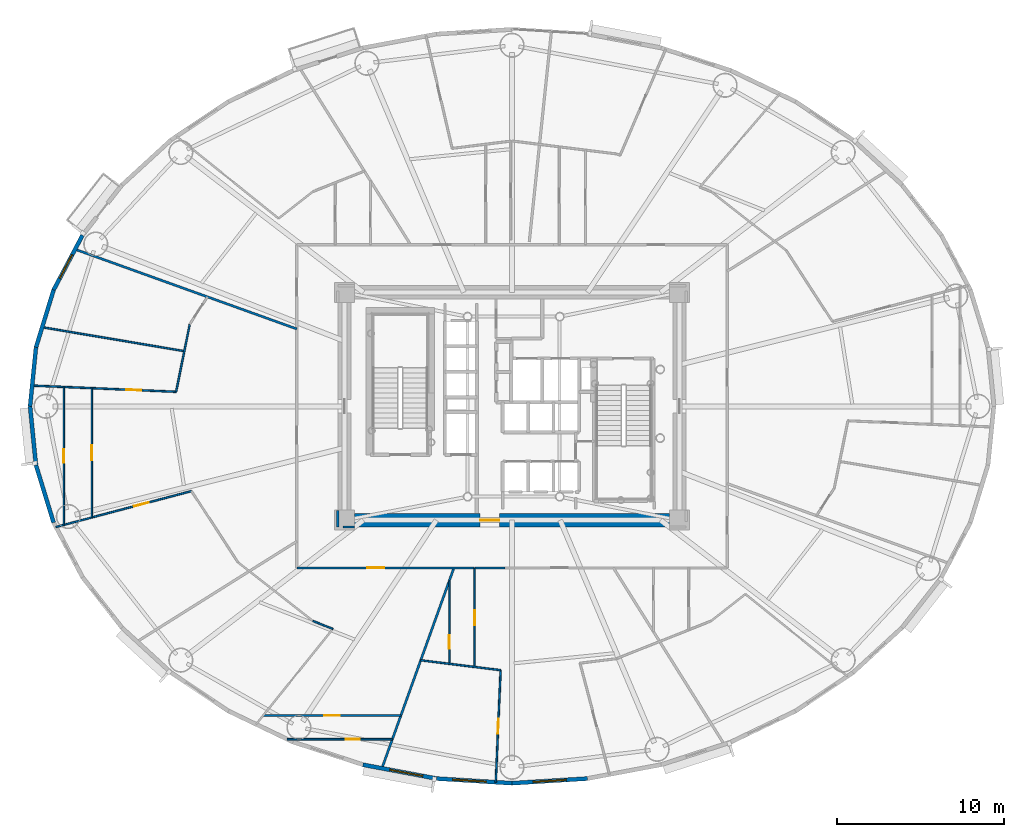
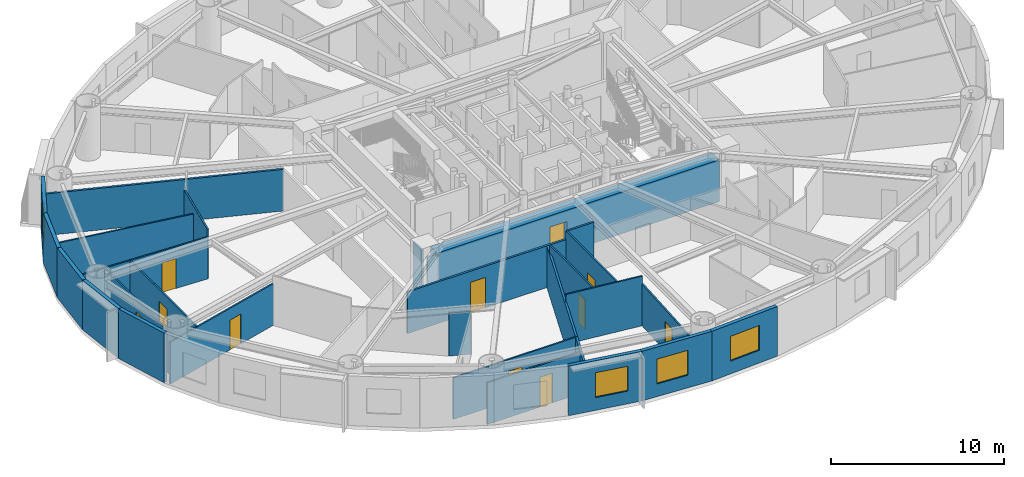
# One storey, part 8 of 19: 28 walls, 11 doors, 4 windows, 15 openings.
"""IFC4 building model written with IfcOpenShell, lengths in metres."""

from ifc_helpers import new_model, si_unit, direction, frame, frame_2d, origin, origin_2d, place, context, subcontext, project, spatial, rectangle, extrude, source, transform, mapped, material, layer, layer_set, type_object, element, fill, save


model = new_model("IFC4")

# Units and contexts
model_context = context("Model", 3, precision=1e-05, world=origin(), true_north=direction((0.0, 1.0)))
body_context = subcontext(model_context, "Body", "Model", "MODEL_VIEW")
ifc_project = project(units=[si_unit("LENGTHUNIT", "METRE"), si_unit("AREAUNIT", "SQUARE_METRE"), si_unit("VOLUMEUNIT", "CUBIC_METRE"), si_unit("PLANEANGLEUNIT", "RADIAN"), si_unit("MASSUNIT", "GRAM", prefix="KILO")], contexts=[model_context])

# Site, building, storey
site_placement = place(None, origin())
site = spatial("IfcSite", under=ifc_project, at=site_placement, CompositionType="ELEMENT")
building_placement = place(site_placement, origin())
building = spatial("IfcBuilding", under=site, at=building_placement, Name="Linh Dai School and Residence Tower", CompositionType="ELEMENT")
storey_placement = place(building_placement, frame((0.0, 0.0, 119.699951171875)))
storey = spatial("IfcBuildingStorey", under=building, at=storey_placement, Name="L28", CompositionType="ELEMENT", Elevation=119.699951171875)

# Wall, opening, window
ifc_material_1 = material(Name="Precast Concrete B45 (C35/45)", Category="concrete")
ifc_layer_1 = layer(ifc_material_1, 0.239990234375)
ifc_layer_set_1 = layer_set([ifc_layer_1], Name="Precast Concrete B45 (C35/45)")
wall_type_1 = type_object("IfcWallType", Name="EW-TC-240", PredefinedType="SOLIDWALL", material=ifc_layer_set_1)
wall_1_placement = place(storey_placement, frame((8.6298828125, 33.945068359375, 0.0), z_axis=(0.0, 0.0, 1.0), x_axis=(0.467614004126, 0.883932770716, 0.0)))
wall_1 = element("IfcWall", 1, at=wall_1_placement, inside=storey, type_object=wall_type_1, Name="L28 Terracotta Exterior Wall 18", PredefinedType="SOLIDWALL", context=body_context, shape_type="SweptSolid", body=[
    extrude(rectangle(XDim=3.688720703125, YDim=0.239990234375, at=frame_2d((1.84423828125, 0.0))), origin(), (0.0, 0.0, 1.0), 3.5),
])
opening_1_placement = place(wall_1_placement, frame((0.778076171875, 0.0, 0.89990234375)))
opening_1 = element("IfcOpeningElement", 2, at=opening_1_placement, cuts=wall_1, Name="Opening W2", PredefinedType="OPENING", context=body_context, shape_type="SweptSolid", body=[
    extrude(rectangle(XDim=1.60009765625, YDim=1.75, at=origin_2d()), frame((0.800048828125, 0.1298828125, 0.875), z_axis=(0.0, -1.0, 0.0), x_axis=(1.0, 0.0, 0.0)), (0.0, 0.0, 1.0), 0.260009765625),
])
ifc_material_2 = material(Name="Double Low-E Insulated Glazing", Category="glass")
window_type_1 = type_object("IfcWindowType", Name="WN-RES-1600x1750", PartitioningType="DOUBLE_PANEL_VERTICAL", PredefinedType="WINDOW", material=ifc_material_2)
shared_shape_1 = source(origin(), body_context, "Body", "SweptSolid", [
    extrude(rectangle(XDim=1.60009765625, YDim=1.75, at=origin_2d()), frame((0.800048828125, 0.030029296875, 0.875), z_axis=(0.0, -1.0, 0.0), x_axis=(1.0, 0.0, 0.0)), (0.0, 0.0, 1.0), 0.06005859375),
])
window_1_placement = place(opening_1_placement, origin())
window_1 = element("IfcWindow", 3, at=window_1_placement, inside=storey, type_object=window_type_1, Name="L28 Exterior Window 18.1", OverallHeight=1.75, OverallWidth=1.60009765625, PartitioningType="DOUBLE_PANEL_VERTICAL", PredefinedType="WINDOW", context=body_context, shape_type="MappedRepresentation", body=[
    mapped(shared_shape_1, transform((0.0, 0.0, 0.0), x_axis=(1.0, 0.0, 0.0), y_axis=(0.0, 1.0, 0.0), z_axis=(0.0, 0.0, 1.0), scale=1.0)),
])
fill(opening_1, window_1)

# Walls
wall_2_placement = place(storey_placement, frame((7.578369140625, 30.515380859375, 0.0), z_axis=(0.0, 0.0, 1.0), x_axis=(0.293124431344, 0.956074300329, 0.0)))
element("IfcWall", 4, at=wall_2_placement, inside=storey, type_object=wall_type_1, Name="L28 Terracotta Exterior Wall 19", PredefinedType="SOLIDWALL", context=body_context, shape_type="SweptSolid", body=[
    extrude(rectangle(XDim=3.587158203125, YDim=0.239990234375, at=frame_2d((1.79345703125, 0.0))), origin(), (0.0, 0.0, 1.0), 3.5),
])
for number, where, z_axis, x_axis, name in (
    (5, (7.22509765625, 27.0, 0.0), (0.0, 0.0, 1.0), (0.099989468229, 0.994988495533, 0.0), "L28 Terracotta Exterior Wall 20"),
    (6, (7.578369140625, 23.484619140625, 0.0), (0.0, 0.0, 1.0), (-0.099989468229, 0.994988495533, 0.0), "L28 Terracotta Exterior Wall 21"),
):
    element("IfcWall", number, at=place(storey_placement, frame(where, z_axis=z_axis, x_axis=x_axis)), inside=storey, type_object=wall_type_1, Name=name, PredefinedType="SOLIDWALL", context=body_context, shape_type="SweptSolid", body=[
        extrude(rectangle(XDim=3.533203125, YDim=0.239990234375, at=frame_2d((1.7666015625, 0.0))), origin(), (0.0, 0.0, 1.0), 3.5),
    ])
wall_3_placement = place(storey_placement, frame((8.6298828125, 20.054931640625, 0.0), z_axis=(0.0, 0.0, 1.0), x_axis=(-0.293124431344, 0.956074300329, 0.0)))
element("IfcWall", 7, at=wall_3_placement, inside=storey, type_object=wall_type_1, Name="L28 Terracotta Exterior Wall 22", PredefinedType="SOLIDWALL", context=body_context, shape_type="SweptSolid", body=[
    extrude(rectangle(XDim=3.587158203125, YDim=0.239990234375, at=frame_2d((1.79345703125, 0.0))), origin(), (0.0, 0.0, 1.0), 3.5),
])

# Wall, opening, window
wall_4_placement = place(storey_placement, frame((31.494384765625, 4.772705078125, 0.0), z_axis=(0.0, 0.0, 1.0), x_axis=(-0.982789252177, 0.184730305596, 0.0)))
wall_4 = element("IfcWall", 8, at=wall_4_placement, inside=storey, type_object=wall_type_1, Name="L28 Terracotta Exterior Wall 29", PredefinedType="SOLIDWALL", context=body_context, shape_type="SweptSolid", body=[
    extrude(rectangle(XDim=4.470947265625, YDim=0.239990234375, at=frame_2d((2.2353515625, 0.0))), origin(), (0.0, 0.0, 1.0), 3.5),
])
opening_2_placement = place(wall_4_placement, frame((0.843017578125, 0.0, 0.89990234375)))
opening_2 = element("IfcOpeningElement", 9, at=opening_2_placement, cuts=wall_4, Name="Opening W1", PredefinedType="OPENING", context=body_context, shape_type="SweptSolid", body=[
    extrude(rectangle(XDim=2.0, YDim=1.75, at=origin_2d()), frame((1.0, 0.1298828125, 0.875), z_axis=(0.0, -1.0, 0.0), x_axis=(1.0, 0.0, 0.0)), (0.0, 0.0, 1.0), 0.260009765625),
])
window_type_2 = type_object("IfcWindowType", Name="WN-RES-2000x1750", PartitioningType="DOUBLE_PANEL_VERTICAL", PredefinedType="WINDOW", material=ifc_material_2)
shared_shape_2 = source(origin(), body_context, "Body", "SweptSolid", [
    extrude(rectangle(XDim=2.0, YDim=1.75, at=origin_2d()), frame((1.0, 0.030029296875, 0.875), z_axis=(0.0, -1.0, 0.0), x_axis=(1.0, 0.0, 0.0)), (0.0, 0.0, 1.0), 0.06005859375),
])
window_2_placement = place(opening_2_placement, origin())
window_2 = element("IfcWindow", 10, at=window_2_placement, inside=storey, type_object=window_type_2, Name="L28 Exterior Window 29.1", OverallHeight=1.75, OverallWidth=2.0, PartitioningType="DOUBLE_PANEL_VERTICAL", PredefinedType="WINDOW", context=body_context, shape_type="MappedRepresentation", body=[
    mapped(shared_shape_2, transform((0.0, 0.0, 0.0), x_axis=(1.0, 0.0, 0.0), y_axis=(0.0, 1.0, 0.0), z_axis=(0.0, 0.0, 1.0), scale=1.0)),
])
fill(opening_2, window_2)

wall_5_placement = place(storey_placement, frame((36.0, 4.4951171875, 0.0), z_axis=(0.0, 0.0, 1.0), x_axis=(-0.998107531589, 0.061492726276, 0.0)))
wall_5 = element("IfcWall", 11, at=wall_5_placement, inside=storey, type_object=wall_type_1, Name="L28 Terracotta Exterior Wall 30", PredefinedType="SOLIDWALL", context=body_context, shape_type="SweptSolid", body=[
    extrude(rectangle(XDim=4.51416015625, YDim=0.239990234375, at=frame_2d((2.257080078125, 0.0))), origin(), (0.0, 0.0, 1.0), 3.5),
])
opening_3_placement = place(wall_5_placement, frame((1.549560546875, 0.0, 0.89990234375)))
opening_3 = element("IfcOpeningElement", 12, at=opening_3_placement, cuts=wall_5, Name="Opening W1", PredefinedType="OPENING", context=body_context, shape_type="SweptSolid", body=[
    extrude(rectangle(XDim=2.0, YDim=1.75, at=origin_2d()), frame((1.0, 0.1298828125, 0.875), z_axis=(0.0, -1.0, 0.0), x_axis=(1.0, 0.0, 0.0)), (0.0, 0.0, 1.0), 0.260009765625),
])
window_3_placement = place(opening_3_placement, origin())
window_3 = element("IfcWindow", 13, at=window_3_placement, inside=storey, type_object=window_type_2, Name="L28 Exterior Window 30.1", OverallHeight=1.75, OverallWidth=2.0, PartitioningType="DOUBLE_PANEL_VERTICAL", PredefinedType="WINDOW", context=body_context, shape_type="MappedRepresentation", body=[
    mapped(shared_shape_2, transform((0.0, 0.0, 0.0), x_axis=(1.0, 0.0, 0.0), y_axis=(0.0, 1.0, 0.0), z_axis=(0.0, 0.0, 1.0), scale=1.0)),
])
fill(opening_3, window_3)

wall_6_placement = place(storey_placement, frame((40.505615234375, 4.772705078125, 0.0), z_axis=(0.0, 0.0, 1.0), x_axis=(-0.998107531589, -0.061492726276, 0.0)))
wall_6 = element("IfcWall", 14, at=wall_6_placement, inside=storey, type_object=wall_type_1, Name="L28 Terracotta Exterior Wall 31", PredefinedType="SOLIDWALL", context=body_context, shape_type="SweptSolid", body=[
    extrude(rectangle(XDim=4.51416015625, YDim=0.239990234375, at=frame_2d((2.257080078125, 0.0))), origin(), (0.0, 0.0, 1.0), 3.5),
])
opening_4_placement = place(wall_6_placement, frame((1.257080078125, 0.0, 0.89990234375)))
opening_4 = element("IfcOpeningElement", 15, at=opening_4_placement, cuts=wall_6, Name="Opening W1", PredefinedType="OPENING", context=body_context, shape_type="SweptSolid", body=[
    extrude(rectangle(XDim=2.0, YDim=1.75, at=origin_2d()), frame((1.0, 0.1298828125, 0.875), z_axis=(0.0, -1.0, 0.0), x_axis=(1.0, 0.0, 0.0)), (0.0, 0.0, 1.0), 0.260009765625),
])
window_4_placement = place(opening_4_placement, origin())
window_4 = element("IfcWindow", 16, at=window_4_placement, inside=storey, type_object=window_type_2, Name="L28 Exterior Window 31.1", OverallHeight=1.75, OverallWidth=2.0, PartitioningType="DOUBLE_PANEL_VERTICAL", PredefinedType="WINDOW", context=body_context, shape_type="MappedRepresentation", body=[
    mapped(shared_shape_2, transform((0.0, 0.0, 0.0), x_axis=(1.0, 0.0, 0.0), y_axis=(0.0, 1.0, 0.0), z_axis=(0.0, 0.0, 1.0), scale=1.0)),
])
fill(opening_4, window_4)

# Wall
ifc_material_3 = material(Name="Autoclaved Aerated Concrete Blockwork", Category="masonry")
ifc_layer_2 = layer(ifc_material_3, 0.135009765625)
ifc_layer_set_2 = layer_set([ifc_layer_2], Name="Autoclaved Aerated Concrete Blockwork")
wall_type_2 = type_object("IfcWallType", Name="IW-CORR-135-EI90", PredefinedType="PARTITIONING", material=ifc_layer_set_2)
wall_7_placement = place(storey_placement, frame((9.90966796875, 36.375, 0.0), z_axis=(0.0, 0.0, 1.0), x_axis=(0.941089213164, -0.338158384292, 0.0)))
element("IfcWall", 17, at=wall_7_placement, inside=storey, type_object=wall_type_2, Name="L28 Interior Partition Wall 005", PredefinedType="PARTITIONING", context=body_context, shape_type="SweptSolid", body=[
    extrude(rectangle(XDim=14.069091796875, YDim=0.135009765625, at=frame_2d((7.03466796875, 0.0))), origin(), (0.0, 0.0, 1.0), 2.93505859375),
])

# Wall, opening, door
wall_8_placement = place(storey_placement, frame((23.14990234375, 17.35009765625, 0.0), z_axis=(0.0, 0.0, 1.0), x_axis=(1.0, 0.0, 0.0)))
wall_8 = element("IfcWall", 18, at=wall_8_placement, inside=storey, type_object=wall_type_2, Name="L28 Interior Partition Wall 018", PredefinedType="PARTITIONING", context=body_context, shape_type="SweptSolid", body=[
    extrude(rectangle(XDim=10.618896484375, YDim=0.135009765625, at=frame_2d((5.3095703125, 0.0))), origin(), (0.0, 0.0, 1.0), 2.93505859375),
])
opening_5_placement = place(wall_8_placement, frame((4.211181640625, 0.0, 0.0)))
opening_5 = element("IfcOpeningElement", 19, at=opening_5_placement, cuts=wall_8, Name="Opening D03", PredefinedType="OPENING", context=body_context, shape_type="SweptSolid", body=[
    extrude(rectangle(XDim=1.0, YDim=2.14990234375, at=origin_2d()), frame((0.5, 0.07763671875, 1.074951171875), z_axis=(0.0, -1.0, 0.0), x_axis=(1.0, 0.0, 0.0)), (0.0, 0.0, 1.0), 0.155029296875),
])
ifc_material_4 = material(Name="Fire-Rated Solid Timber Entrance Door", Category="wood")
door_type_1 = type_object("IfcDoorType", Name="DR-FLAT-1000x2150-FD60S", OperationType="NOTDEFINED", PredefinedType="DOOR", material=ifc_material_4)
shared_shape_3 = source(origin(), body_context, "Body", "SweptSolid", [
    extrude(rectangle(XDim=1.0, YDim=2.14990234375, at=origin_2d()), frame((0.5, 0.02490234375, 1.074951171875), z_axis=(0.0, -1.0, 0.0), x_axis=(1.0, 0.0, 0.0)), (0.0, 0.0, 1.0), 0.050048828125),
])
door_1_placement = place(opening_5_placement, origin())
door_1 = element("IfcDoor", 20, at=door_1_placement, inside=storey, type_object=door_type_1, Name="L28 U2804 Apartment Entrance Door", OperationType="SINGLE_SWING_LEFT", OverallHeight=2.14990234375, OverallWidth=1.0, PredefinedType="DOOR", context=body_context, shape_type="MappedRepresentation", body=[
    mapped(shared_shape_3, transform((0.0, 0.0, 0.0), x_axis=(1.0, 0.0, 0.0), y_axis=(0.0, 1.0, 0.0), z_axis=(0.0, 0.0, 1.0), scale=1.0)),
])
fill(opening_5, door_1)

# Walls
wall_9_placement = place(storey_placement, frame((28.231689453125, 5.380859375, 0.0), z_axis=(0.0, 0.0, 1.0), x_axis=(0.338158615332, 0.941089130145, 0.0)))
element("IfcWall", 21, at=wall_9_placement, inside=storey, type_object=wall_type_2, Name="L28 Interior Partition Wall 026", PredefinedType="PARTITIONING", context=body_context, shape_type="SweptSolid", body=[
    extrude(rectangle(XDim=12.71826171875, YDim=0.135009765625, at=frame_2d((6.359130859375, 0.0))), origin(), (0.0, 0.0, 1.0), 2.93505859375),
])
wall_10_placement = place(storey_placement, frame((35.57373046875, 17.35009765625, 0.0), z_axis=(0.0, 0.0, 1.0), x_axis=(-1.0, 0.0, 0.0)))
element("IfcWall", 22, at=wall_10_placement, inside=storey, type_object=wall_type_2, Name="L28 Interior Partition Wall 112", PredefinedType="PARTITIONING", context=body_context, shape_type="SweptSolid", body=[
    extrude(rectangle(XDim=1.794921875, YDim=0.135009765625, at=frame_2d((0.8974609375, 0.0))), origin(), (0.0, 0.0, 1.0), 3.5),
])
wall_11_placement = place(storey_placement, frame((25.60009765625, 20.7900390625, 0.0), z_axis=(0.0, 0.0, 1.0), x_axis=(0.0, -1.0, 0.0)))
element("IfcWall", 23, at=wall_11_placement, inside=storey, type_object=wall_type_2, Name="L28 Interior Partition Wall 116", PredefinedType="PARTITIONING", context=body_context, shape_type="SweptSolid", body=[
    extrude(rectangle(XDim=0.989990234375, YDim=0.135009765625, at=frame_2d((0.4951171875, 0.0))), origin(), (0.0, 0.0, 1.0), 3.5),
])
wall_12_placement = place(storey_placement, frame((25.907470703125, 19.800048828125, 0.0), z_axis=(0.0, 0.0, 1.0), x_axis=(1.0, 0.0, 0.0)))
element("IfcWall", 24, at=wall_12_placement, inside=storey, type_object=wall_type_2, Name="L28 Interior Partition Wall 117", PredefinedType="PARTITIONING", context=body_context, shape_type="SweptSolid", body=[
    extrude(rectangle(XDim=0.6826171875, YDim=0.135009765625, at=frame_2d((0.34130859375, 0.0))), origin(), (0.0, 0.0, 1.0), 2.93505859375),
])

# Wall, opening, door
ifc_material_5 = material(Name="Gypsum Plasterboard Acoustic Stud Partition", Category="masonry")
ifc_layer_3 = layer(ifc_material_5, 0.10009765625)
ifc_layer_set_3 = layer_set([ifc_layer_3], Name="Gypsum Plasterboard Acoustic Stud Partition")
wall_type_3 = type_object("IfcWallType", Name="IW-UNIT-100", PredefinedType="PARTITIONING", material=ifc_layer_set_3)
wall_13_placement = place(storey_placement, frame((7.34423828125, 28.236328125, 0.0), z_axis=(0.0, 0.0, 1.0), x_axis=(0.9990704445, -0.043107388317, 0.0)))
wall_13 = element("IfcWall", 25, at=wall_13_placement, inside=storey, type_object=wall_type_3, Name="L28 Interior Partition Wall 001", PredefinedType="PARTITIONING", context=body_context, shape_type="SweptSolid", body=[
    extrude(rectangle(XDim=8.608642578125, YDim=0.10009765625, at=frame_2d((4.30419921875, 0.0))), origin(), (0.0, 0.0, 1.0), 2.93505859375),
])
opening_6_placement = place(wall_13_placement, frame((5.62109375, 0.0, 0.0)))
opening_6 = element("IfcOpeningElement", 26, at=opening_6_placement, cuts=wall_13, Name="Opening D05", PredefinedType="OPENING", context=body_context, shape_type="SweptSolid", body=[
    extrude(rectangle(XDim=0.89990234375, YDim=2.10009765625, at=origin_2d()), frame((0.449951171875, 0.06005859375, 1.050048828125), z_axis=(0.0, -1.0, 0.0), x_axis=(1.0, 0.0, 0.0)), (0.0, 0.0, 1.0), 0.1201171875),
])
ifc_material_6 = material(Name="Engineered Timber Internal Door", Category="wood")
door_type_2 = type_object("IfcDoorType", Name="DR-INT-900x2100", OperationType="NOTDEFINED", PredefinedType="DOOR", material=ifc_material_6)
shared_shape_4 = source(origin(), body_context, "Body", "SweptSolid", [
    extrude(rectangle(XDim=0.89990234375, YDim=2.10009765625, at=origin_2d()), frame((0.449951171875, 0.02490234375, 1.050048828125), z_axis=(0.0, -1.0, 0.0), x_axis=(1.0, 0.0, 0.0)), (0.0, 0.0, 1.0), 0.050048828125),
])
door_2_placement = place(opening_6_placement, origin())
door_2 = element("IfcDoor", 27, at=door_2_placement, inside=storey, type_object=door_type_2, Name="L28 Apartment U2803 Study Door", OperationType="SINGLE_SWING_LEFT", OverallHeight=2.10009765625, OverallWidth=0.89990234375, PredefinedType="DOOR", context=body_context, shape_type="MappedRepresentation", body=[
    mapped(shared_shape_4, transform((0.0, 0.0, 0.0), x_axis=(1.0, 0.0, 0.0), y_axis=(0.0, 1.0, 0.0), z_axis=(0.0, 0.0, 1.0), scale=1.0)),
])
fill(opening_6, door_2)

# Wall
wall_14_placement = place(storey_placement, frame((7.94287109375, 31.720947265625, 0.0), z_axis=(0.0, 0.0, 1.0), x_axis=(0.986139151265, -0.165920385556, 0.0)))
element("IfcWall", 28, at=wall_14_placement, inside=storey, type_object=wall_type_3, Name="L28 Interior Partition Wall 002", PredefinedType="PARTITIONING", context=body_context, shape_type="SweptSolid", body=[
    extrude(rectangle(XDim=8.6123046875, YDim=0.10009765625, at=frame_2d((4.30615234375, 0.0))), origin(), (0.0, 0.0, 1.0), 2.93505859375),
])

# Wall, opening, door
wall_15_placement = place(storey_placement, frame((8.763427734375, 19.791748046875, 0.0), z_axis=(0.0, 0.0, 1.0), x_axis=(0.96671793708, 0.255844542893, 0.0)))
wall_15 = element("IfcWall", 29, at=wall_15_placement, inside=storey, type_object=wall_type_3, Name="L28 Interior Partition Wall 003", PredefinedType="PARTITIONING", context=body_context, shape_type="SweptSolid", body=[
    extrude(rectangle(XDim=8.385009765625, YDim=0.10009765625, at=frame_2d((4.1923828125, 0.0))), origin(), (0.0, 0.0, 1.0), 2.93505859375),
])
opening_7_placement = place(wall_15_placement, frame((4.835205078125, 0.0, 0.0)))
opening_7 = element("IfcOpeningElement", 30, at=opening_7_placement, cuts=wall_15, Name="Opening D05", PredefinedType="OPENING", context=body_context, shape_type="SweptSolid", body=[
    extrude(rectangle(XDim=0.89990234375, YDim=2.10009765625, at=origin_2d()), frame((0.449951171875, 0.06005859375, 1.050048828125), z_axis=(0.0, -1.0, 0.0), x_axis=(1.0, 0.0, 0.0)), (0.0, 0.0, 1.0), 0.1201171875),
])
door_3_placement = place(opening_7_placement, origin())
door_3 = element("IfcDoor", 31, at=door_3_placement, inside=storey, type_object=door_type_2, Name="L28 Apartment U2803 Principal Bedroom 2 Door", OperationType="SINGLE_SWING_RIGHT", OverallHeight=2.10009765625, OverallWidth=0.89990234375, PredefinedType="DOOR", context=body_context, shape_type="MappedRepresentation", body=[
    mapped(shared_shape_4, transform((0.0, 0.0, 0.0), x_axis=(1.0, 0.0, 0.0), y_axis=(0.0, 1.0, 0.0), z_axis=(0.0, 0.0, 1.0), scale=1.0)),
])
fill(opening_7, door_3)

wall_16_placement = place(storey_placement, frame((9.24609375, 19.91943359375, 0.0), z_axis=(0.0, 0.0, 1.0), x_axis=(0.0, 1.0, 0.0)))
wall_16 = element("IfcWall", 32, at=wall_16_placement, inside=storey, type_object=wall_type_3, Name="L28 Interior Partition Wall 004", PredefinedType="PARTITIONING", context=body_context, shape_type="SweptSolid", body=[
    extrude(rectangle(XDim=8.23486328125, YDim=0.10009765625, at=frame_2d((4.117431640625, 0.0))), origin(), (0.0, 0.0, 1.0), 2.93505859375),
])
opening_8_placement = place(wall_16_placement, frame((3.70751953125, 0.0, 0.0)))
opening_8 = element("IfcOpeningElement", 33, at=opening_8_placement, cuts=wall_16, Name="Opening D06", PredefinedType="OPENING", context=body_context, shape_type="SweptSolid", body=[
    extrude(rectangle(XDim=0.820068359375, YDim=2.10009765625, at=origin_2d()), frame((0.41015625, 0.06005859375, 1.050048828125), z_axis=(0.0, -1.0, 0.0), x_axis=(1.0, 0.0, 0.0)), (0.0, 0.0, 1.0), 0.1201171875),
])
ifc_material_7 = material(Name="Moisture-Resistant Timber Bathroom Door", Category="wood")
door_type_3 = type_object("IfcDoorType", Name="DR-WET-820x2100", OperationType="NOTDEFINED", PredefinedType="DOOR", material=ifc_material_7)
shared_shape_5 = source(origin(), body_context, "Body", "SweptSolid", [
    extrude(rectangle(XDim=0.820068359375, YDim=2.10009765625, at=origin_2d()), frame((0.41015625, 0.02490234375, 1.050048828125), z_axis=(0.0, -1.0, 0.0), x_axis=(1.0, 0.0, 0.0)), (0.0, 0.0, 1.0), 0.050048828125),
])
door_4_placement = place(opening_8_placement, origin())
door_4 = element("IfcDoor", 34, at=door_4_placement, inside=storey, type_object=door_type_3, Name="L28 Apartment U2803 Bathroom 1 Door", OperationType="SINGLE_SWING_RIGHT", OverallHeight=2.10009765625, OverallWidth=0.820068359375, PredefinedType="DOOR", context=body_context, shape_type="MappedRepresentation", body=[
    mapped(shared_shape_5, transform((0.0, 0.0, 0.0), x_axis=(1.0, 0.0, 0.0), y_axis=(0.0, 1.0, 0.0), z_axis=(0.0, 0.0, 1.0), scale=1.0)),
])
fill(opening_8, door_4)

wall_17_placement = place(storey_placement, frame((10.91455078125, 20.361083984375, 0.0), z_axis=(0.0, 0.0, 1.0), x_axis=(0.0, 1.0, 0.0)))
wall_17 = element("IfcWall", 35, at=wall_17_placement, inside=storey, type_object=wall_type_3, Name="L28 Interior Partition Wall 006", PredefinedType="PARTITIONING", context=body_context, shape_type="SweptSolid", body=[
    extrude(rectangle(XDim=7.72119140625, YDim=0.10009765625, at=frame_2d((3.860595703125, 0.0))), origin(), (0.0, 0.0, 1.0), 2.93505859375),
])
opening_9_placement = place(wall_17_placement, frame((3.41064453125, 0.0, 0.0)))
opening_9 = element("IfcOpeningElement", 36, at=opening_9_placement, cuts=wall_17, Name="Opening D05", PredefinedType="OPENING", context=body_context, shape_type="SweptSolid", body=[
    extrude(rectangle(XDim=0.89990234375, YDim=2.10009765625, at=origin_2d()), frame((0.449951171875, 0.06005859375, 1.050048828125), z_axis=(0.0, -1.0, 0.0), x_axis=(1.0, 0.0, 0.0)), (0.0, 0.0, 1.0), 0.1201171875),
])
door_5_placement = place(opening_9_placement, origin())
door_5 = element("IfcDoor", 37, at=door_5_placement, inside=storey, type_object=door_type_2, Name="L28 Apartment U2803 Kitchen Door", OperationType="SINGLE_SWING_LEFT", OverallHeight=2.10009765625, OverallWidth=0.89990234375, PredefinedType="DOOR", context=body_context, shape_type="MappedRepresentation", body=[
    mapped(shared_shape_4, transform((0.0, 0.0, 0.0), x_axis=(1.0, 0.0, 0.0), y_axis=(0.0, 1.0, 0.0), z_axis=(0.0, 0.0, 1.0), scale=1.0)),
])
fill(opening_9, door_5)

# Wall
wall_18_placement = place(storey_placement, frame((15.945068359375, 27.865234375, 0.0), z_axis=(0.0, 0.0, 1.0), x_axis=(0.198216891741, 0.980158183065, 0.0)))
element("IfcWall", 38, at=wall_18_placement, inside=storey, type_object=wall_type_3, Name="L28 Interior Partition Wall 008", PredefinedType="PARTITIONING", context=body_context, shape_type="SweptSolid", body=[
    extrude(rectangle(XDim=4.111328125, YDim=0.10009765625, at=frame_2d((2.0556640625, 0.0))), origin(), (0.0, 0.0, 1.0), 3.5),
])

# Wall, opening, door
wall_19_placement = place(storey_placement, frame((21.140625, 8.5341796875, 0.0), z_axis=(0.0, 0.0, 1.0), x_axis=(1.0, 0.0, 0.0)))
wall_19 = element("IfcWall", 39, at=wall_19_placement, inside=storey, type_object=wall_type_3, Name="L28 Interior Partition Wall 014", PredefinedType="PARTITIONING", context=body_context, shape_type="SweptSolid", body=[
    extrude(rectangle(XDim=8.22412109375, YDim=0.10009765625, at=frame_2d((4.112060546875, 0.0))), origin(), (0.0, 0.0, 1.0), 2.93505859375),
])
opening_10_placement = place(wall_19_placement, frame((3.662109375, 0.0, 0.0)))
opening_10 = element("IfcOpeningElement", 40, at=opening_10_placement, cuts=wall_19, Name="Opening D05", PredefinedType="OPENING", context=body_context, shape_type="SweptSolid", body=[
    extrude(rectangle(XDim=0.89990234375, YDim=2.10009765625, at=origin_2d()), frame((0.449951171875, 0.06005859375, 1.050048828125), z_axis=(0.0, -1.0, 0.0), x_axis=(1.0, 0.0, 0.0)), (0.0, 0.0, 1.0), 0.1201171875),
])
door_6_placement = place(opening_10_placement, origin())
door_6 = element("IfcDoor", 41, at=door_6_placement, inside=storey, type_object=door_type_2, Name="L28 Apartment U2804 Kitchen Door", OperationType="SINGLE_SWING_LEFT", OverallHeight=2.10009765625, OverallWidth=0.89990234375, PredefinedType="DOOR", context=body_context, shape_type="MappedRepresentation", body=[
    mapped(shared_shape_4, transform((0.0, 0.0, 0.0), x_axis=(1.0, 0.0, 0.0), y_axis=(0.0, 1.0, 0.0), z_axis=(0.0, 0.0, 1.0), scale=1.0)),
])
fill(opening_10, door_6)

wall_20_placement = place(storey_placement, frame((22.57373046875, 7.1162109375, 0.0), z_axis=(0.0, 0.0, 1.0), x_axis=(1.0, 0.0, 0.0)))
wall_20 = element("IfcWall", 42, at=wall_20_placement, inside=storey, type_object=wall_type_3, Name="L28 Interior Partition Wall 016", PredefinedType="PARTITIONING", context=body_context, shape_type="SweptSolid", body=[
    extrude(rectangle(XDim=6.281494140625, YDim=0.10009765625, at=frame_2d((3.140625, 0.0))), origin(), (0.0, 0.0, 1.0), 2.93505859375),
])
opening_11_placement = place(wall_20_placement, frame((3.513916015625, 0.0, 0.0)))
opening_11 = element("IfcOpeningElement", 43, at=opening_11_placement, cuts=wall_20, Name="Opening D06", PredefinedType="OPENING", context=body_context, shape_type="SweptSolid", body=[
    extrude(rectangle(XDim=0.820068359375, YDim=2.10009765625, at=origin_2d()), frame((0.41015625, 0.06005859375, 1.050048828125), z_axis=(0.0, -1.0, 0.0), x_axis=(1.0, 0.0, 0.0)), (0.0, 0.0, 1.0), 0.1201171875),
])
door_7_placement = place(opening_11_placement, origin())
door_7 = element("IfcDoor", 44, at=door_7_placement, inside=storey, type_object=door_type_3, Name="L28 Apartment U2804 Bathroom 1 Door", OperationType="SINGLE_SWING_RIGHT", OverallHeight=2.10009765625, OverallWidth=0.820068359375, PredefinedType="DOOR", context=body_context, shape_type="MappedRepresentation", body=[
    mapped(shared_shape_5, transform((0.0, 0.0, 0.0), x_axis=(1.0, 0.0, 0.0), y_axis=(0.0, 1.0, 0.0), z_axis=(0.0, 0.0, 1.0), scale=1.0)),
])
fill(opening_11, door_7)

# Walls
wall_21_placement = place(storey_placement, frame((24.109130859375, 14.184326171875, 0.0), z_axis=(0.0, 0.0, 1.0), x_axis=(0.928816677888, -0.370539578017, 0.0)))
element("IfcWall", 45, at=wall_21_placement, inside=storey, type_object=wall_type_3, Name="L28 Interior Partition Wall 021", PredefinedType="PARTITIONING", context=body_context, shape_type="SweptSolid", body=[
    extrude(rectangle(XDim=1.2861328125, YDim=0.10009765625, at=frame_2d((0.64306640625, 0.0))), origin(), (0.0, 0.0, 1.0), 3.03515625),
])
wall_22_placement = place(storey_placement, frame((30.55078125, 11.834716796875, 0.0), z_axis=(0.0, 0.0, 1.0), x_axis=(0.992401646286, -0.123040531728, 0.0)))
element("IfcWall", 46, at=wall_22_placement, inside=storey, type_object=wall_type_3, Name="L28 Interior Partition Wall 027", PredefinedType="PARTITIONING", context=body_context, shape_type="SweptSolid", body=[
    extrude(rectangle(XDim=4.805908203125, YDim=0.10009765625, at=frame_2d((2.40283203125, 0.0))), origin(), (0.0, 0.0, 1.0), 3.5),
])

# Wall, opening, door
wall_23_placement = place(storey_placement, frame((32.262451171875, 11.62255859375, 0.0), z_axis=(0.0, 0.0, 1.0), x_axis=(0.0, 1.0, 0.0)))
wall_23 = element("IfcWall", 47, at=wall_23_placement, inside=storey, type_object=wall_type_3, Name="L28 Interior Partition Wall 036", PredefinedType="PARTITIONING", context=body_context, shape_type="SweptSolid", body=[
    extrude(rectangle(XDim=4.955078125, YDim=0.10009765625, at=frame_2d((2.4775390625, 0.0))), origin(), (0.0, 0.0, 1.0), 3.5),
])
opening_12_placement = place(wall_23_placement, frame((0.89892578125, 0.0, 0.0)))
opening_12 = element("IfcOpeningElement", 48, at=opening_12_placement, cuts=wall_23, Name="Opening D06", PredefinedType="OPENING", context=body_context, shape_type="SweptSolid", body=[
    extrude(rectangle(XDim=0.820068359375, YDim=2.10009765625, at=origin_2d()), frame((0.41015625, 0.06005859375, 1.050048828125), z_axis=(0.0, -1.0, 0.0), x_axis=(1.0, 0.0, 0.0)), (0.0, 0.0, 1.0), 0.1201171875),
])
door_8_placement = place(opening_12_placement, origin())
door_8 = element("IfcDoor", 49, at=door_8_placement, inside=storey, type_object=door_type_3, Name="L28 Apartment U2805 Bathroom 1 Door", OperationType="SINGLE_SWING_LEFT", OverallHeight=2.10009765625, OverallWidth=0.820068359375, PredefinedType="DOOR", context=body_context, shape_type="MappedRepresentation", body=[
    mapped(shared_shape_5, transform((0.0, 0.0, 0.0), x_axis=(1.0, 0.0, 0.0), y_axis=(0.0, 1.0, 0.0), z_axis=(0.0, 0.0, 1.0), scale=1.0)),
])
fill(opening_12, door_8)

wall_24_placement = place(storey_placement, frame((33.768798828125, 11.435791015625, 0.0), z_axis=(0.0, 0.0, 1.0), x_axis=(0.0, 1.0, 0.0)))
wall_24 = element("IfcWall", 50, at=wall_24_placement, inside=storey, type_object=wall_type_3, Name="L28 Interior Partition Wall 038", PredefinedType="PARTITIONING", context=body_context, shape_type="SweptSolid", body=[
    extrude(rectangle(XDim=5.8837890625, YDim=0.10009765625, at=frame_2d((2.94189453125, 0.0))), origin(), (0.0, 0.0, 1.0), 3.5),
])
opening_13_placement = place(wall_24_placement, frame((2.491943359375, 0.0, 0.0)))
opening_13 = element("IfcOpeningElement", 51, at=opening_13_placement, cuts=wall_24, Name="Opening D05", PredefinedType="OPENING", context=body_context, shape_type="SweptSolid", body=[
    extrude(rectangle(XDim=0.89990234375, YDim=2.10009765625, at=origin_2d()), frame((0.449951171875, 0.06005859375, 1.050048828125), z_axis=(0.0, -1.0, 0.0), x_axis=(1.0, 0.0, 0.0)), (0.0, 0.0, 1.0), 0.1201171875),
])
door_9_placement = place(opening_13_placement, origin())
door_9 = element("IfcDoor", 52, at=door_9_placement, inside=storey, type_object=door_type_2, Name="L28 Apartment U2805 Kitchen Door", OperationType="SINGLE_SWING_RIGHT", OverallHeight=2.10009765625, OverallWidth=0.89990234375, PredefinedType="DOOR", context=body_context, shape_type="MappedRepresentation", body=[
    mapped(shared_shape_4, transform((0.0, 0.0, 0.0), x_axis=(1.0, 0.0, 0.0), y_axis=(0.0, 1.0, 0.0), z_axis=(0.0, 0.0, 1.0), scale=1.0)),
])
fill(opening_13, door_9)

wall_25_placement = place(storey_placement, frame((35.03125, 4.5498046875, 0.0), z_axis=(0.0, 0.0, 1.0), x_axis=(0.043108301027, 0.999070405118, 0.0)))
wall_25 = element("IfcWall", 53, at=wall_25_placement, inside=storey, type_object=wall_type_3, Name="L28 Interior Partition Wall 041", PredefinedType="PARTITIONING", context=body_context, shape_type="SweptSolid", body=[
    extrude(rectangle(XDim=6.699951171875, YDim=0.10009765625, at=frame_2d((3.35009765625, 0.0))), origin(), (0.0, 0.0, 1.0), 2.93505859375),
])
opening_14_placement = place(wall_25_placement, frame((2.89990234375, 0.0, 0.0)))
opening_14 = element("IfcOpeningElement", 54, at=opening_14_placement, cuts=wall_25, Name="Opening D05", PredefinedType="OPENING", context=body_context, shape_type="SweptSolid", body=[
    extrude(rectangle(XDim=0.89990234375, YDim=2.10009765625, at=origin_2d()), frame((0.449951171875, 0.06005859375, 1.050048828125), z_axis=(0.0, -1.0, 0.0), x_axis=(1.0, 0.0, 0.0)), (0.0, 0.0, 1.0), 0.1201171875),
])
door_10_placement = place(opening_14_placement, origin())
door_10 = element("IfcDoor", 55, at=door_10_placement, inside=storey, type_object=door_type_2, Name="L28 Apartment U2805 Principal Bedroom 1 Door", OperationType="SINGLE_SWING_RIGHT", OverallHeight=2.10009765625, OverallWidth=0.89990234375, PredefinedType="DOOR", context=body_context, shape_type="MappedRepresentation", body=[
    mapped(shared_shape_4, transform((0.0, 0.0, 0.0), x_axis=(1.0, 0.0, 0.0), y_axis=(0.0, 1.0, 0.0), z_axis=(0.0, 0.0, 1.0), scale=1.0)),
])
fill(opening_14, door_10)

ifc_material_8 = material(Name="Concrete B60 (C50/60)", Category="concrete")
ifc_layer_4 = layer(ifc_material_8, 0.800048828125)
ifc_layer_set_4 = layer_set([ifc_layer_4], Name="Concrete B60 (C50/60)")
wall_type_4 = type_object("IfcWallType", Name="WL-CORE800", PredefinedType="SHEAR", material=ifc_layer_set_4)
wall_26_placement = place(storey_placement, frame((45.39990234375, 20.199951171875, 0.0), z_axis=(0.0, 0.0, 1.0), x_axis=(-1.0, 0.0, 0.0)))
wall_26 = element("IfcWall", 56, at=wall_26_placement, inside=storey, type_object=wall_type_4, Name="L28 Central Core Shear Wall S", PredefinedType="SHEAR", context=body_context, shape_type="SweptSolid", body=[
    extrude(rectangle(XDim=18.7998046875, YDim=0.800048828125, at=frame_2d((9.39990234375, 0.0))), origin(), (0.0, 0.0, 1.0), 2.949951171875),
])
opening_15_placement = place(wall_26_placement, frame((10.14990234375, 0.0, 0.0)))
opening_15 = element("IfcOpeningElement", 57, at=opening_15_placement, cuts=wall_26, Name="Opening D02", PredefinedType="OPENING", context=body_context, shape_type="SweptSolid", body=[
    extrude(rectangle(XDim=1.14990234375, YDim=2.14990234375, at=origin_2d()), frame((0.574951171875, 0.41015625, 1.074951171875), z_axis=(0.0, -1.0, 0.0), x_axis=(1.0, 0.0, 0.0)), (0.0, 0.0, 1.0), 0.820068359375),
])
ifc_material_9 = material(Name="Fire-Rated Glazed Steel Lobby Door", Category="steel")
door_type_4 = type_object("IfcDoorType", Name="DR-LOBBY-1150x2150-FD90S", OperationType="NOTDEFINED", PredefinedType="DOOR", material=ifc_material_9)
shared_shape_6 = source(origin(), body_context, "Body", "SweptSolid", [
    extrude(rectangle(XDim=1.14990234375, YDim=2.14990234375, at=origin_2d()), frame((0.574951171875, 0.02490234375, 1.074951171875), z_axis=(0.0, -1.0, 0.0), x_axis=(1.0, 0.0, 0.0)), (0.0, 0.0, 1.0), 0.050048828125),
])
door_11_placement = place(opening_15_placement, origin())
door_11 = element("IfcDoor", 58, at=door_11_placement, inside=storey, type_object=door_type_4, Name="L28 Passenger Foyer Access Door", OperationType="SINGLE_SWING_RIGHT", OverallHeight=2.14990234375, OverallWidth=1.14990234375, PredefinedType="DOOR", context=body_context, shape_type="MappedRepresentation", body=[
    mapped(shared_shape_6, transform((0.0, 0.0, 0.0), x_axis=(1.0, 0.0, 0.0), y_axis=(0.0, 1.0, 0.0), z_axis=(0.0, 0.0, 1.0), scale=1.0)),
])
fill(opening_15, door_11)

save(model, "model.ifc")
